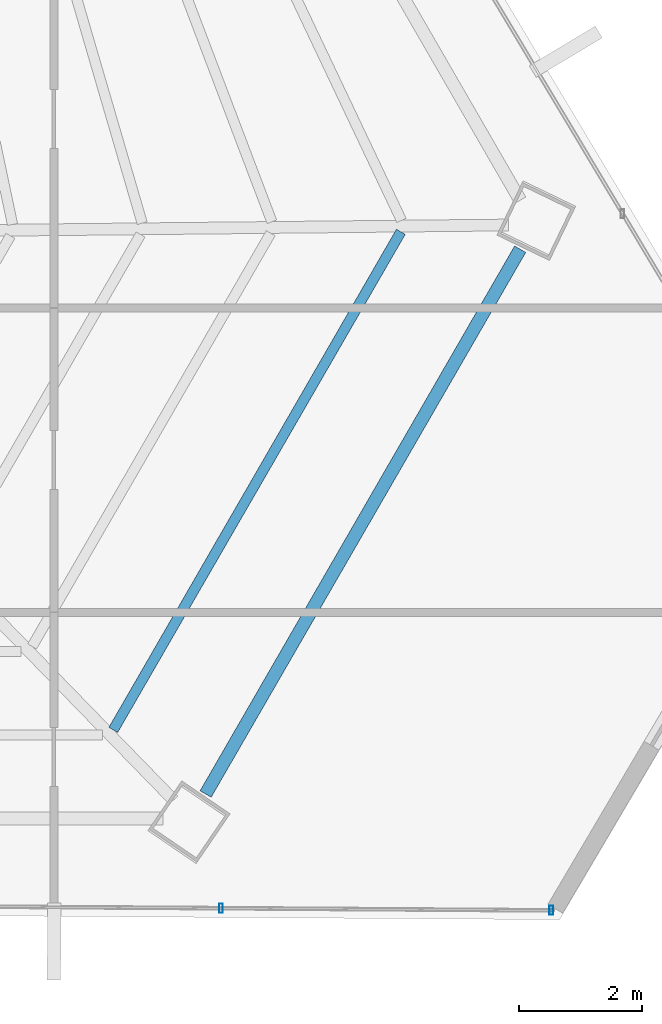
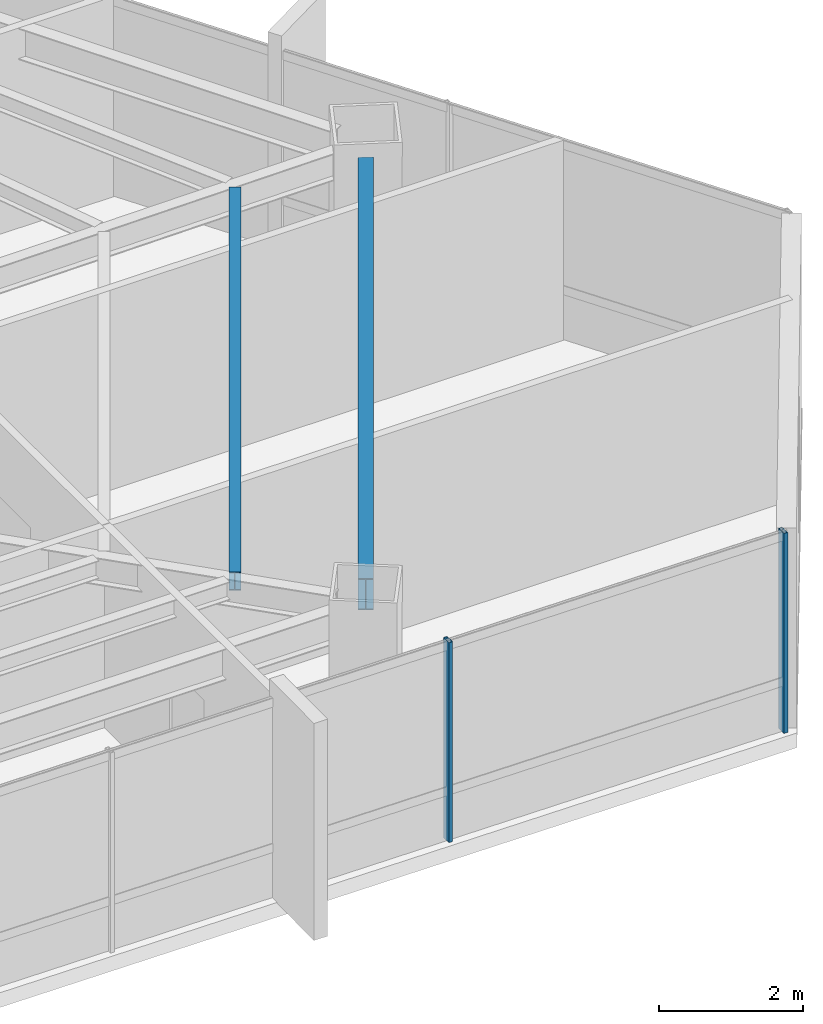
# One storey, part 19 of 41: 2 beams, 2 members, 1 element without a shape of its own.
"""IFC4 building model written with IfcOpenShell, lengths in metres."""

from ifc_helpers import new_model, si_unit, direction, frame, origin, origin_2d, place, context, subcontext, project, spatial, hollow_rectangle, i_section, extrude, source, transform, mapped, material, material_profile, profile_set, type_object, type_shapes, element, aggregate, save


model = new_model("IFC4")

# Units and contexts
model_context = context("Model", 3, precision=1e-05, world=origin(), true_north=direction((0.0, 1.0)))
body_context = subcontext(model_context, "Body", "Model", "MODEL_VIEW")
ifc_project = project(units=[si_unit("LENGTHUNIT", "METRE"), si_unit("AREAUNIT", "SQUARE_METRE"), si_unit("VOLUMEUNIT", "CUBIC_METRE"), si_unit("PLANEANGLEUNIT", "RADIAN"), si_unit("MASSUNIT", "GRAM", prefix="KILO")], contexts=[model_context])

# Site, building, storey
site_placement = place(None, origin())
site = spatial("IfcSite", under=ifc_project, at=site_placement, CompositionType="ELEMENT")
building_placement = place(site_placement, origin())
building = spatial("IfcBuilding", under=site, at=building_placement, Name="Caelisora Broadcast Tower", CompositionType="ELEMENT")
storey_placement = place(building_placement, frame((0.0, 0.0, 180.39990234375)))
storey = spatial("IfcBuildingStorey", under=building, at=storey_placement, Name="L47", CompositionType="ELEMENT", Elevation=180.39990234375)

# Beams
ifc_material_1 = material(Name="Steel Grade 350 (AS/NZS 3679.1)", Category="steel")
ifc_material_profile_1 = material_profile(ifc_material_1, i_section(OverallWidth=0.208984375, OverallDepth=0.532958984375, WebThickness=0.01025390625, FlangeThickness=0.015625, at=origin_2d()), Name="Steel Grade 350 (AS/NZS 3679.1)")
ifc_profile_set_1 = profile_set([ifc_material_profile_1], Name="Steel Grade 350 (AS/NZS 3679.1)")
beam_type_1 = type_object("IfcBeamType", Name="PG05", PredefinedType="BEAM", material=ifc_profile_set_1)
shared_shape_1 = source(origin(), body_context, "Body", "SweptSolid", [
    extrude(i_section(OverallWidth=0.208984375, OverallDepth=0.532958984375, WebThickness=0.01025390625, FlangeThickness=0.015625, at=origin_2d()), origin(), (0.0, 0.0, 1.0), 10.228515625),
])
type_shapes(beam_type_1, [shared_shape_1])
beam_1_placement = place(storey_placement, frame((54.969482421875, 8.29736328125, 3.133544921875), z_axis=(0.500000003276, 0.866025401893, 0.0), x_axis=(-0.866025401893, 0.500000003276, 0.0)))
element("IfcBeam", 1, at=beam_1_placement, inside=storey, type_object=beam_type_1, Name="L47 beam PG05", PredefinedType="BEAM", context=body_context, shape_type="MappedRepresentation", body=[
    mapped(shared_shape_1, transform((0.0, 0.0, 0.0), scale=1.0)),
])
ifc_material_profile_2 = material_profile(ifc_material_1, i_section(OverallWidth=0.166015625, OverallDepth=0.30712890625, WebThickness=0.006591796875, FlangeThickness=0.01171875, at=origin_2d()), Name="Steel Grade 350 (AS/NZS 3679.1)")
ifc_profile_set_2 = profile_set([ifc_material_profile_2], Name="Steel Grade 350 (AS/NZS 3679.1)")
beam_type_2 = type_object("IfcBeamType", Name="SB03", PredefinedType="JOIST", material=ifc_profile_set_2)
shared_shape_2 = source(origin(), body_context, "Body", "SweptSolid", [
    extrude(i_section(OverallWidth=0.166015625, OverallDepth=0.30712890625, WebThickness=0.006591796875, FlangeThickness=0.01171875, at=origin_2d()), origin(), (0.0, 0.0, 1.0), 9.351806640625),
])
type_shapes(beam_type_2, [shared_shape_2])
beam_2_placement = place(storey_placement, frame((53.467529296875, 9.339599609375, 3.24658203125), z_axis=(0.500010955145, 0.866019078736, 0.0), x_axis=(-0.866019078736, 0.500010955145, 0.0)))
element("IfcBeam", 2, at=beam_2_placement, inside=storey, type_object=beam_type_2, Name="L47 beam SB03", PredefinedType="JOIST", context=body_context, shape_type="MappedRepresentation", body=[
    mapped(shared_shape_2, transform((0.0, 0.0, 0.0), scale=1.0)),
])

# Curtain wall, members
ifc_material_2 = material(Name="Unitised Aluminium and Low-E Glass Curtain Wall", Category="glass")
curtain_wall_type = type_object("IfcCurtainWallType", Name="CW-Z3", PredefinedType="NOTDEFINED", material=ifc_material_2)
curtain_wall_placement = place(storey_placement, origin())
curtain_wall = element("IfcCurtainWall", 3, at=curtain_wall_placement, inside=storey, type_object=curtain_wall_type, Name="L47 curtain wall CW-Z3", PredefinedType="NOTDEFINED")
ifc_material_3 = material(Name="Aluminium 6063-T6 Anodised Terracotta Bronze", Category="aluminium")
ifc_material_profile_3 = material_profile(ifc_material_3, hollow_rectangle(XDim=0.06005859375, YDim=0.14990234375, WallThickness=0.00341796875, at=origin_2d()), Name="Aluminium 6063-T6 Anodised Terracotta Bronze")
ifc_profile_set_3 = profile_set([ifc_material_profile_3], Name="Aluminium 6063-T6 Anodised Terracotta Bronze")
member_type = type_object("IfcMemberType", Name="CWM-03", PredefinedType="MULLION", material=ifc_profile_set_3)
shared_shape_3 = source(origin(), body_context, "Body", "SweptSolid", [
    extrude(hollow_rectangle(XDim=0.06005859375, YDim=0.14990234375, WallThickness=0.00341796875, at=origin_2d()), origin(), (0.0, 0.0, 1.0), 3.400146484375),
])
type_shapes(member_type, [shared_shape_3])
member_1_placement = place(storey_placement, frame((60.589111328125, 6.4052734375, 0.0), z_axis=(0.0, 0.0, 1.0), x_axis=(1.0, 0.0, 0.0)))
member_1 = element("IfcMember", 4, at=member_1_placement, type_object=member_type, Name="L47-CW-B05 mullion #0", PredefinedType="MULLION", context=body_context, shape_type="MappedRepresentation", body=[
    mapped(shared_shape_3, transform((0.0, 0.0, 0.0), scale=1.0)),
])
member_2_placement = place(storey_placement, frame((55.220947265625, 6.44091796875, 0.0), z_axis=(0.0, 0.0, 1.0), x_axis=(1.0, 0.0, 0.0)))
member_2 = element("IfcMember", 5, at=member_2_placement, type_object=member_type, Name="L47-CW-B05 mullion #1", PredefinedType="MULLION", context=body_context, shape_type="MappedRepresentation", body=[
    mapped(shared_shape_3, transform((0.0, 0.0, 0.0), scale=1.0)),
])
aggregate(curtain_wall, [member_1, member_2])

save(model, "model.ifc")
